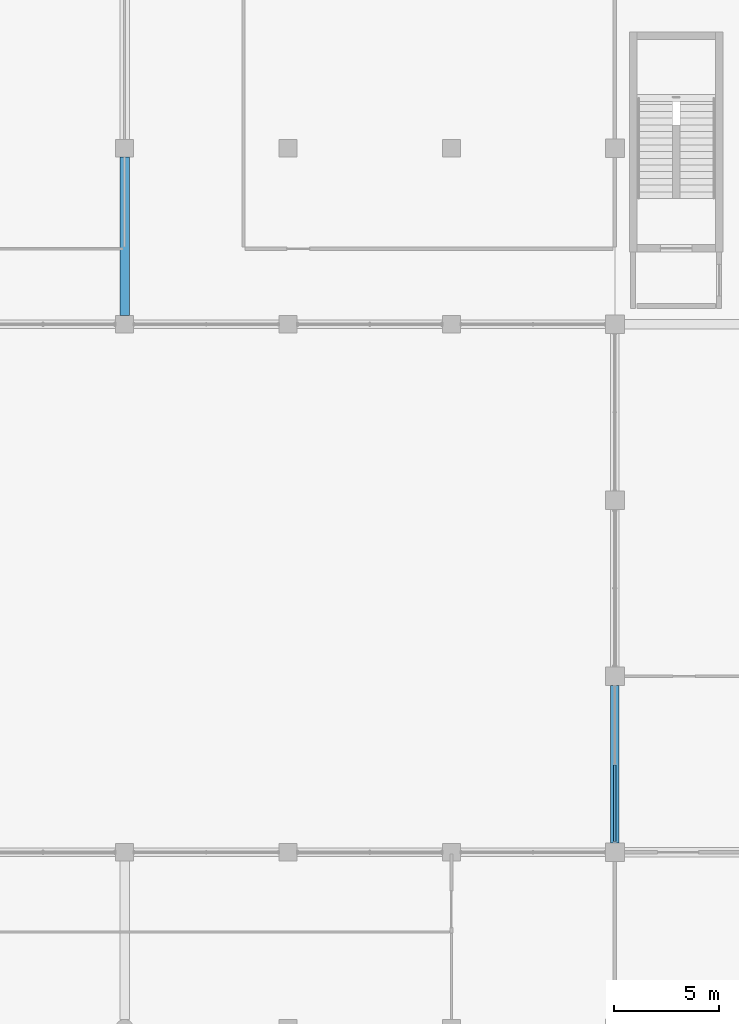
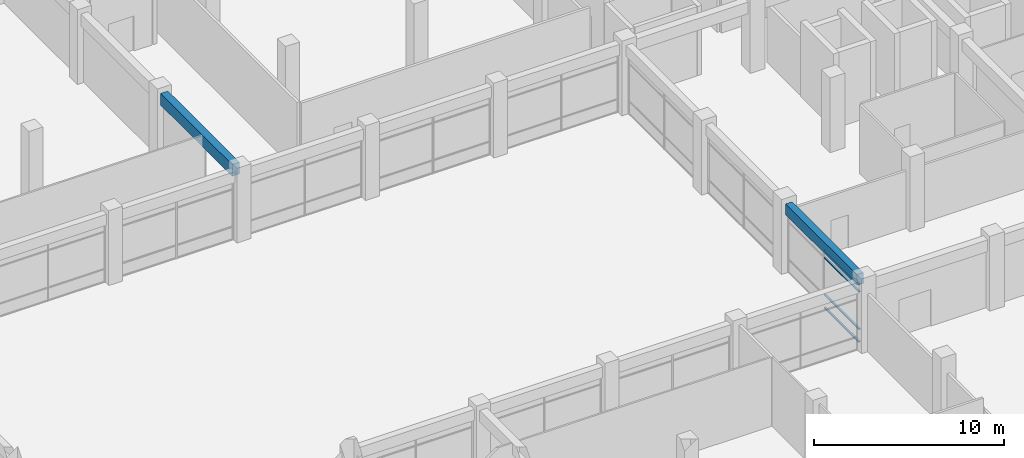
# One storey, part 28 of 74: 4 members, 2 beams, 1 element without a shape of its own.
"""IFC4 building model written with IfcOpenShell, lengths in metres."""

from ifc_helpers import new_model, si_unit, direction, frame, origin, origin_2d, place, context, subcontext, project, spatial, rectangle, hollow_rectangle, extrude, material, material_profile, profile_set, type_object, element, aggregate, save


model = new_model("IFC4")

# Units and contexts
model_context = context("Model", 3, precision=1e-05, world=origin(), true_north=direction((0.0, 1.0)))
body_context = subcontext(model_context, "Body", "Model", "MODEL_VIEW")
ifc_project = project(units=[si_unit("LENGTHUNIT", "METRE"), si_unit("AREAUNIT", "SQUARE_METRE"), si_unit("VOLUMEUNIT", "CUBIC_METRE"), si_unit("PLANEANGLEUNIT", "RADIAN"), si_unit("MASSUNIT", "GRAM", prefix="KILO"), si_unit("THERMODYNAMICTEMPERATUREUNIT", "KELVIN"), si_unit("POWERUNIT", "WATT")], contexts=[model_context])

# Site, building, storey
site_placement = place(None, origin())
site = spatial("IfcSite", under=ifc_project, at=site_placement, CompositionType="ELEMENT")
building_placement = place(site_placement, origin())
building = spatial("IfcBuilding", under=site, at=building_placement, Name="Srebrne Nadtorze General Hospital", CompositionType="ELEMENT")
storey_placement = place(building_placement, origin())
storey = spatial("IfcBuildingStorey", under=building, at=storey_placement, Name="L00", CompositionType="ELEMENT", Elevation=0.0)

# Curtain wall, members
ifc_material_1 = material(Name="Anodised Aluminium", Category="aluminium")
curtain_wall_type = type_object("IfcCurtainWallType", Name="Unitised curtain wall 7500x3750", PredefinedType="NOTDEFINED", material=ifc_material_1)
curtain_wall_placement = place(storey_placement, origin())
curtain_wall = element("IfcCurtainWall", 1, at=curtain_wall_placement, inside=storey, type_object=curtain_wall_type, Name="Curtain wall CW-022", PredefinedType="NOTDEFINED")
ifc_material_2 = material(Name="Anodised Aluminium", Category="aluminium")
ifc_material_profile_1 = material_profile(ifc_material_2, hollow_rectangle(XDim=0.06005859375, YDim=0.1201171875, WallThickness=0.00390625, at=origin_2d()), Name="AL-TRN-60x120")
ifc_profile_set_1 = profile_set([ifc_material_profile_1], Name="Anodised Aluminium")
member_type = type_object("IfcMemberType", Name="Curtain transom 60x120", PredefinedType="USERDEFINED", material=ifc_profile_set_1)
member_1_placement = place(storey_placement, frame((101.39990234375, 25.7099609375, 0.030029296875), z_axis=(0.0, 1.0, 0.0), x_axis=(0.0, 0.0, 1.0)))
member_1 = element("IfcMember", 2, at=member_1_placement, type_object=member_type, Name="CW-022 transom 1.1", ObjectType="TRANSOM", PredefinedType="USERDEFINED", context=body_context, shape_type="SweptSolid", body=[
    extrude(hollow_rectangle(XDim=0.06005859375, YDim=0.1201171875, WallThickness=0.00390625, at=origin_2d()), origin(), (0.0, 0.0, 1.0), 3.66015625),
])
member_2_placement = place(storey_placement, frame((101.39990234375, 25.7099609375, 0.85009765625), z_axis=(0.0, 1.0, 0.0), x_axis=(0.0, 0.0, 1.0)))
member_2 = element("IfcMember", 3, at=member_2_placement, type_object=member_type, Name="CW-022 transom 1.2", ObjectType="TRANSOM", PredefinedType="USERDEFINED", context=body_context, shape_type="SweptSolid", body=[
    extrude(hollow_rectangle(XDim=0.06005859375, YDim=0.1201171875, WallThickness=0.00390625, at=origin_2d()), origin(), (0.0, 0.0, 1.0), 3.66015625),
])
member_3_placement = place(storey_placement, frame((101.39990234375, 25.7099609375, 3.25), z_axis=(0.0, 1.0, 0.0), x_axis=(0.0, 0.0, 1.0)))
member_3 = element("IfcMember", 4, at=member_3_placement, type_object=member_type, Name="CW-022 transom 1.3", ObjectType="TRANSOM", PredefinedType="USERDEFINED", context=body_context, shape_type="SweptSolid", body=[
    extrude(hollow_rectangle(XDim=0.06005859375, YDim=0.1201171875, WallThickness=0.00390625, at=origin_2d()), origin(), (0.0, 0.0, 1.0), 3.66015625),
])
member_4_placement = place(storey_placement, frame((101.39990234375, 25.7099609375, 3.719970703125), z_axis=(0.0, 1.0, 0.0), x_axis=(0.0, 0.0, 1.0)))
member_4 = element("IfcMember", 5, at=member_4_placement, type_object=member_type, Name="CW-022 transom 1.4", ObjectType="TRANSOM", PredefinedType="USERDEFINED", context=body_context, shape_type="SweptSolid", body=[
    extrude(hollow_rectangle(XDim=0.06005859375, YDim=0.1201171875, WallThickness=0.00390625, at=origin_2d()), origin(), (0.0, 0.0, 1.0), 3.66015625),
])
aggregate(curtain_wall, [member_1, member_2, member_3, member_4])

# Beams
ifc_material_3 = material(Name="Concrete C40/50", Category="concrete")
ifc_material_profile_2 = material_profile(ifc_material_3, rectangle(XDim=0.39990234375, YDim=0.699951171875, at=origin_2d()), Name="RC-BM-400x700")
ifc_profile_set_2 = profile_set([ifc_material_profile_2], Name="Concrete C40/50")
beam_type_1 = type_object("IfcBeamType", Name="Edge beam RC 400x700", PredefinedType="BEAM", material=ifc_profile_set_2)
beam_1_placement = place(storey_placement, frame((101.39990234375, 25.64990234375, 4.10009765625), z_axis=(0.0, 1.0, 0.0), x_axis=(-1.0, 0.0, 0.0)))
element("IfcBeam", 6, at=beam_1_placement, inside=storey, type_object=beam_type_1, Name="Beam BM-L00-Y-0322", PredefinedType="BEAM", context=body_context, shape_type="SweptSolid", body=[
    extrude(rectangle(XDim=0.39990234375, YDim=0.699951171875, at=origin_2d()), origin(), (0.0, 0.0, 1.0), 7.5),
])
ifc_material_4 = material(Name="Concrete C40/50", Category="concrete")
ifc_material_profile_3 = material_profile(ifc_material_4, rectangle(XDim=0.449951171875, YDim=0.75, at=origin_2d()), Name="RC-BM-450x750")
ifc_profile_set_3 = profile_set([ifc_material_profile_3], Name="Concrete C40/50")
beam_type_2 = type_object("IfcBeamType", Name="Primary beam RC 450x750", PredefinedType="BEAM", material=ifc_profile_set_3)
beam_2_placement = place(storey_placement, frame((78.0, 50.824951171875, 4.074951171875), z_axis=(0.0, 1.0, 0.0), x_axis=(-1.0, 0.0, 0.0)))
element("IfcBeam", 7, at=beam_2_placement, inside=storey, type_object=beam_type_2, Name="Beam BM-L00-Y-0317", PredefinedType="BEAM", context=body_context, shape_type="SweptSolid", body=[
    extrude(rectangle(XDim=0.449951171875, YDim=0.75, at=origin_2d()), origin(), (0.0, 0.0, 1.0), 7.550048828125),
])

save(model, "model.ifc")
